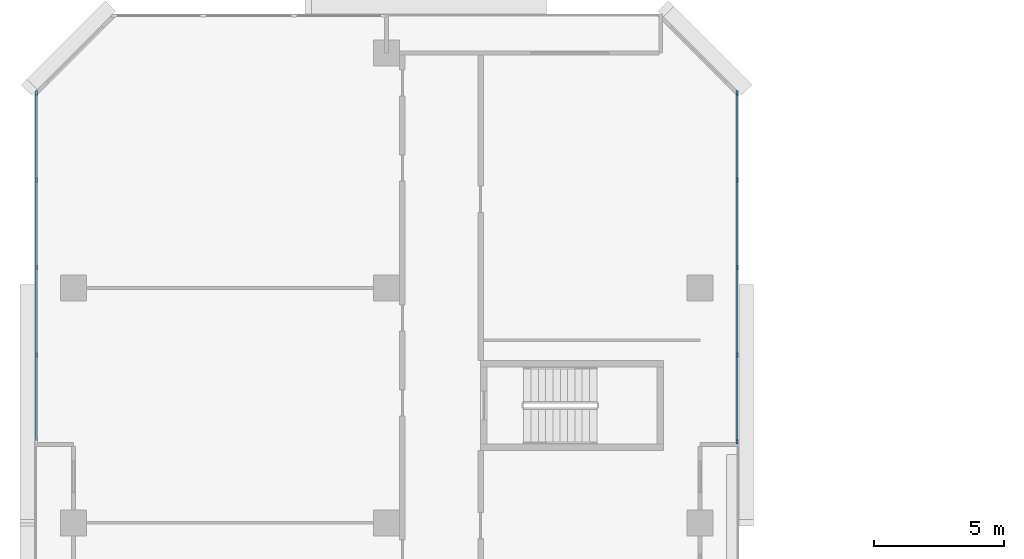
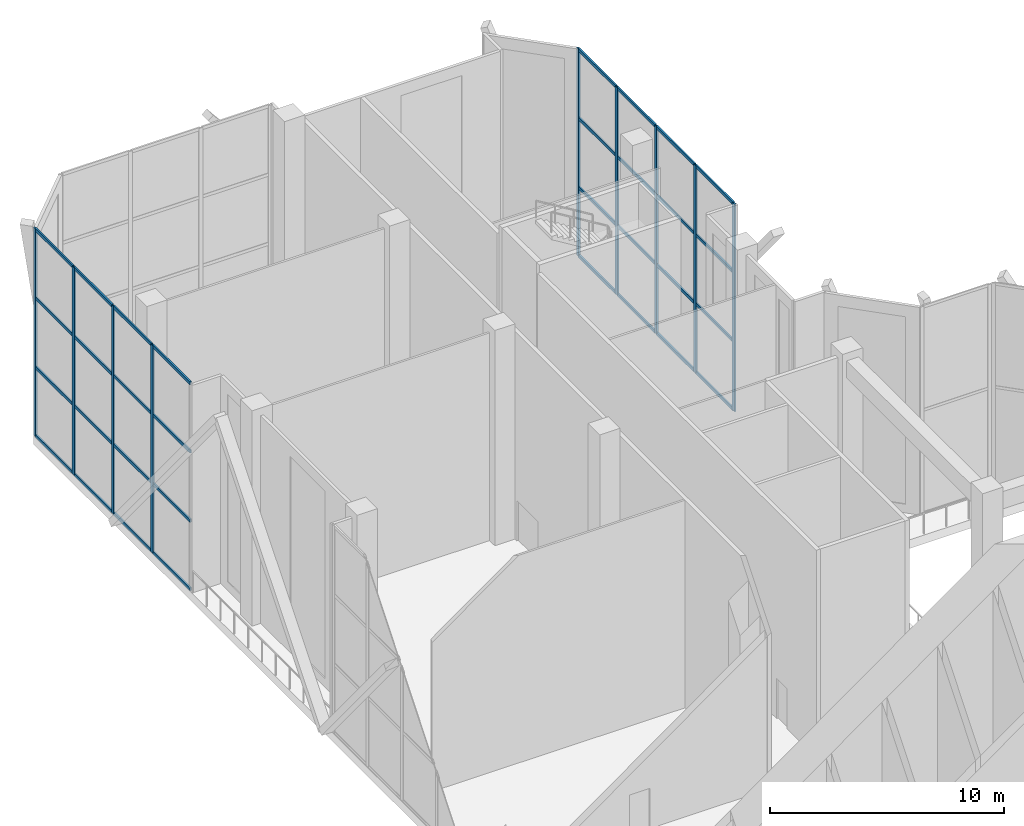
# One storey, part 6 of 21: 41 members, 2 elements without a shape of their own.
"""IFC4 building model written with IfcOpenShell, lengths in metres."""

from ifc_helpers import new_model, si_unit, direction, frame, origin, origin_2d, place, context, subcontext, project, spatial, rectangle, extrude, material, layer, layer_set, material_profile, profile_set, type_object, element, aggregate, save


model = new_model("IFC4")

# Units and contexts
model_context = context("Model", 3, precision=1e-05, world=origin(), true_north=direction((0.0, 1.0)))
body_context = subcontext(model_context, "Body", "Model", "MODEL_VIEW")
ifc_project = project(units=[si_unit("LENGTHUNIT", "METRE"), si_unit("AREAUNIT", "SQUARE_METRE"), si_unit("VOLUMEUNIT", "CUBIC_METRE"), si_unit("PLANEANGLEUNIT", "RADIAN"), si_unit("MASSUNIT", "GRAM", prefix="KILO")], contexts=[model_context])

# Site, building, storey
site_placement = place(None, origin())
site = spatial("IfcSite", under=ifc_project, at=site_placement, CompositionType="ELEMENT")
building_placement = place(site_placement, origin())
building = spatial("IfcBuilding", under=site, at=building_placement, Name="Chenar Terraces", CompositionType="ELEMENT")
storey_placement = place(building_placement, frame((0.0, 0.0, 146.14990234375)))
storey = spatial("IfcBuildingStorey", under=building, at=storey_placement, Name="L34", CompositionType="ELEMENT", Elevation=146.14990234375)

# Curtain wall, members
ifc_material_1 = material(Name="Aluminium framed glazing", Category="aluminium")
ifc_layer = layer(ifc_material_1, 0.14990234375)
ifc_layer_set = layer_set([ifc_layer], Name="Aluminium framed glazing")
curtain_wall_type = type_object("IfcCurtainWallType", Name="Sky garden curtain wall", PredefinedType="NOTDEFINED", material=ifc_layer_set)
placement = place(storey_placement, origin())
curtain_wall_1 = element("IfcCurtainWall", 1, at=placement, inside=storey, type_object=curtain_wall_type, Name="Sky garden curtain wall", PredefinedType="NOTDEFINED")
ifc_material_2 = material(Name="Aluminium", Category="aluminium")
ifc_material_profile_1 = material_profile(ifc_material_2, rectangle(XDim=0.080078125, YDim=0.199951171875, at=origin_2d()), Name="Sky garden mullion 80 x 200")
ifc_profile_set_1 = profile_set([ifc_material_profile_1], Name="Aluminium")
member_type_1 = type_object("IfcMemberType", Name="Sky garden mullion 80 x 200", PredefinedType="MULLION", material=ifc_profile_set_1)
member_1_placement = place(storey_placement, frame((25.425048828125, 48.114990234375, 0.0), z_axis=(0.0, 0.0, 1.0), x_axis=(-1.0, 0.0, 0.0)))
member_1 = element("IfcMember", 2, at=member_1_placement, type_object=member_type_1, Name="CW3-02 mullion 1", PredefinedType="MULLION", context=body_context, shape_type="SweptSolid", body=[
    extrude(rectangle(XDim=0.080078125, YDim=0.199951171875, at=origin_2d()), origin(), (0.0, 0.0, 1.0), 10.85009765625),
])
member_2_placement = place(storey_placement, frame((25.425048828125, 51.43115234375, 0.0), z_axis=(0.0, 0.0, 1.0), x_axis=(-1.0, 0.0, 0.0)))
member_2 = element("IfcMember", 3, at=member_2_placement, type_object=member_type_1, Name="CW3-02 mullion 2", PredefinedType="MULLION", context=body_context, shape_type="SweptSolid", body=[
    extrude(rectangle(XDim=0.080078125, YDim=0.199951171875, at=origin_2d()), origin(), (0.0, 0.0, 1.0), 10.85009765625),
])
member_3_placement = place(storey_placement, frame((25.425048828125, 54.78759765625, 0.0), z_axis=(0.0, 0.0, 1.0), x_axis=(-1.0, 0.0, 0.0)))
member_3 = element("IfcMember", 4, at=member_3_placement, type_object=member_type_1, Name="CW3-02 mullion 3", PredefinedType="MULLION", context=body_context, shape_type="SweptSolid", body=[
    extrude(rectangle(XDim=0.080078125, YDim=0.199951171875, at=origin_2d()), origin(), (0.0, 0.0, 1.0), 10.85009765625),
])
member_4_placement = place(storey_placement, frame((25.425048828125, 58.143798828125, 0.0), z_axis=(0.0, 0.0, 1.0), x_axis=(-1.0, 0.0, 0.0)))
member_4 = element("IfcMember", 5, at=member_4_placement, type_object=member_type_1, Name="CW3-02 mullion 4", PredefinedType="MULLION", context=body_context, shape_type="SweptSolid", body=[
    extrude(rectangle(XDim=0.080078125, YDim=0.199951171875, at=origin_2d()), origin(), (0.0, 0.0, 1.0), 10.85009765625),
])
member_5_placement = place(storey_placement, frame((25.425048828125, 61.4599609375, 0.0), z_axis=(0.0, 0.0, 1.0), x_axis=(-1.0, 0.0, 0.0)))
member_5 = element("IfcMember", 6, at=member_5_placement, type_object=member_type_1, Name="CW3-02 mullion 5", PredefinedType="MULLION", context=body_context, shape_type="SweptSolid", body=[
    extrude(rectangle(XDim=0.080078125, YDim=0.199951171875, at=origin_2d()), origin(), (0.0, 0.0, 1.0), 10.85009765625),
])

curtain_wall_2 = element("IfcCurtainWall", 7, at=placement, inside=storey, type_object=curtain_wall_type, Name="Sky garden curtain wall", PredefinedType="NOTDEFINED")
member_6_placement = place(storey_placement, frame((-1.425048828125, 61.4599609375, 0.0), z_axis=(0.0, 0.0, 1.0), x_axis=(1.0, 0.0, 0.0)))
member_6 = element("IfcMember", 8, at=member_6_placement, type_object=member_type_1, Name="CW3-04 mullion 1", PredefinedType="MULLION", context=body_context, shape_type="SweptSolid", body=[
    extrude(rectangle(XDim=0.080078125, YDim=0.199951171875, at=origin_2d()), origin(), (0.0, 0.0, 1.0), 10.85009765625),
])
member_7_placement = place(storey_placement, frame((-1.425048828125, 58.143798828125, 0.0), z_axis=(0.0, 0.0, 1.0), x_axis=(1.0, 0.0, 0.0)))
member_7 = element("IfcMember", 9, at=member_7_placement, type_object=member_type_1, Name="CW3-04 mullion 2", PredefinedType="MULLION", context=body_context, shape_type="SweptSolid", body=[
    extrude(rectangle(XDim=0.080078125, YDim=0.199951171875, at=origin_2d()), origin(), (0.0, 0.0, 1.0), 10.85009765625),
])
member_8_placement = place(storey_placement, frame((-1.425048828125, 54.78759765625, 0.0), z_axis=(0.0, 0.0, 1.0), x_axis=(1.0, 0.0, 0.0)))
member_8 = element("IfcMember", 10, at=member_8_placement, type_object=member_type_1, Name="CW3-04 mullion 3", PredefinedType="MULLION", context=body_context, shape_type="SweptSolid", body=[
    extrude(rectangle(XDim=0.080078125, YDim=0.199951171875, at=origin_2d()), origin(), (0.0, 0.0, 1.0), 10.85009765625),
])
member_9_placement = place(storey_placement, frame((-1.425048828125, 51.43115234375, 0.0), z_axis=(0.0, 0.0, 1.0), x_axis=(1.0, 0.0, 0.0)))
member_9 = element("IfcMember", 11, at=member_9_placement, type_object=member_type_1, Name="CW3-04 mullion 4", PredefinedType="MULLION", context=body_context, shape_type="SweptSolid", body=[
    extrude(rectangle(XDim=0.080078125, YDim=0.199951171875, at=origin_2d()), origin(), (0.0, 0.0, 1.0), 10.85009765625),
])

# Member
ifc_material_3 = material(Name="Aluminium", Category="aluminium")
ifc_material_profile_2 = material_profile(ifc_material_3, rectangle(XDim=0.080078125, YDim=0.159912109375, at=origin_2d()), Name="Sky garden transom 80 x 160")
ifc_profile_set_2 = profile_set([ifc_material_profile_2], Name="Aluminium")
member_type_2 = type_object("IfcMemberType", Name="Sky garden transom 80 x 160", PredefinedType="USERDEFINED", material=ifc_profile_set_2)
member_10_placement = place(storey_placement, frame((25.425048828125, 48.155029296875, 0.0400390625), z_axis=(0.0, 1.0, 0.0), x_axis=(-1.0, 0.0, 0.0)))
member_10 = element("IfcMember", 12, at=member_10_placement, type_object=member_type_2, Name="CW3-02 transom 1.1", ObjectType="TRANSOM", PredefinedType="USERDEFINED", context=body_context, shape_type="SweptSolid", body=[
    extrude(rectangle(XDim=0.080078125, YDim=0.159912109375, at=origin_2d()), origin(), (0.0, 0.0, 1.0), 3.236328125),
])

member_11_placement = place(storey_placement, frame((25.425048828125, 48.155029296875, 3.6171875), z_axis=(0.0, 1.0, 0.0), x_axis=(-1.0, 0.0, 0.0)))
member_11 = element("IfcMember", 13, at=member_11_placement, type_object=member_type_2, Name="CW3-02 transom 1.2", ObjectType="TRANSOM", PredefinedType="USERDEFINED", context=body_context, shape_type="SweptSolid", body=[
    extrude(rectangle(XDim=0.080078125, YDim=0.159912109375, at=origin_2d()), origin(), (0.0, 0.0, 1.0), 3.236328125),
])

member_12_placement = place(storey_placement, frame((25.425048828125, 48.155029296875, 7.233154296875), z_axis=(0.0, 1.0, 0.0), x_axis=(-1.0, 0.0, 0.0)))
member_12 = element("IfcMember", 14, at=member_12_placement, type_object=member_type_2, Name="CW3-02 transom 1.3", ObjectType="TRANSOM", PredefinedType="USERDEFINED", context=body_context, shape_type="SweptSolid", body=[
    extrude(rectangle(XDim=0.080078125, YDim=0.159912109375, at=origin_2d()), origin(), (0.0, 0.0, 1.0), 3.236328125),
])

member_13_placement = place(storey_placement, frame((25.425048828125, 48.155029296875, 10.81005859375), z_axis=(0.0, 1.0, 0.0), x_axis=(-1.0, 0.0, 0.0)))
member_13 = element("IfcMember", 15, at=member_13_placement, type_object=member_type_2, Name="CW3-02 transom 1.4", ObjectType="TRANSOM", PredefinedType="USERDEFINED", context=body_context, shape_type="SweptSolid", body=[
    extrude(rectangle(XDim=0.080078125, YDim=0.159912109375, at=origin_2d()), origin(), (0.0, 0.0, 1.0), 3.236328125),
])

member_14_placement = place(storey_placement, frame((25.425048828125, 51.47119140625, 0.0400390625), z_axis=(0.0, 1.0, 0.0), x_axis=(-1.0, 0.0, 0.0)))
member_14 = element("IfcMember", 16, at=member_14_placement, type_object=member_type_2, Name="CW3-02 transom 2.1", ObjectType="TRANSOM", PredefinedType="USERDEFINED", context=body_context, shape_type="SweptSolid", body=[
    extrude(rectangle(XDim=0.080078125, YDim=0.159912109375, at=origin_2d()), origin(), (0.0, 0.0, 1.0), 3.2763671875),
])

member_15_placement = place(storey_placement, frame((25.425048828125, 51.47119140625, 3.6171875), z_axis=(0.0, 1.0, 0.0), x_axis=(-1.0, 0.0, 0.0)))
member_15 = element("IfcMember", 17, at=member_15_placement, type_object=member_type_2, Name="CW3-02 transom 2.2", ObjectType="TRANSOM", PredefinedType="USERDEFINED", context=body_context, shape_type="SweptSolid", body=[
    extrude(rectangle(XDim=0.080078125, YDim=0.159912109375, at=origin_2d()), origin(), (0.0, 0.0, 1.0), 3.2763671875),
])

member_16_placement = place(storey_placement, frame((25.425048828125, 51.47119140625, 7.233154296875), z_axis=(0.0, 1.0, 0.0), x_axis=(-1.0, 0.0, 0.0)))
member_16 = element("IfcMember", 18, at=member_16_placement, type_object=member_type_2, Name="CW3-02 transom 2.3", ObjectType="TRANSOM", PredefinedType="USERDEFINED", context=body_context, shape_type="SweptSolid", body=[
    extrude(rectangle(XDim=0.080078125, YDim=0.159912109375, at=origin_2d()), origin(), (0.0, 0.0, 1.0), 3.2763671875),
])

member_17_placement = place(storey_placement, frame((25.425048828125, 51.47119140625, 10.81005859375), z_axis=(0.0, 1.0, 0.0), x_axis=(-1.0, 0.0, 0.0)))
member_17 = element("IfcMember", 19, at=member_17_placement, type_object=member_type_2, Name="CW3-02 transom 2.4", ObjectType="TRANSOM", PredefinedType="USERDEFINED", context=body_context, shape_type="SweptSolid", body=[
    extrude(rectangle(XDim=0.080078125, YDim=0.159912109375, at=origin_2d()), origin(), (0.0, 0.0, 1.0), 3.2763671875),
])

member_18_placement = place(storey_placement, frame((25.425048828125, 54.827392578125, 0.0400390625), z_axis=(0.0, 1.0, 0.0), x_axis=(-1.0, 0.0, 0.0)))
member_18 = element("IfcMember", 20, at=member_18_placement, type_object=member_type_2, Name="CW3-02 transom 3.1", ObjectType="TRANSOM", PredefinedType="USERDEFINED", context=body_context, shape_type="SweptSolid", body=[
    extrude(rectangle(XDim=0.080078125, YDim=0.159912109375, at=origin_2d()), origin(), (0.0, 0.0, 1.0), 3.2763671875),
])

member_19_placement = place(storey_placement, frame((25.425048828125, 54.827392578125, 3.6171875), z_axis=(0.0, 1.0, 0.0), x_axis=(-1.0, 0.0, 0.0)))
member_19 = element("IfcMember", 21, at=member_19_placement, type_object=member_type_2, Name="CW3-02 transom 3.2", ObjectType="TRANSOM", PredefinedType="USERDEFINED", context=body_context, shape_type="SweptSolid", body=[
    extrude(rectangle(XDim=0.080078125, YDim=0.159912109375, at=origin_2d()), origin(), (0.0, 0.0, 1.0), 3.2763671875),
])

member_20_placement = place(storey_placement, frame((25.425048828125, 54.827392578125, 7.233154296875), z_axis=(0.0, 1.0, 0.0), x_axis=(-1.0, 0.0, 0.0)))
member_20 = element("IfcMember", 22, at=member_20_placement, type_object=member_type_2, Name="CW3-02 transom 3.3", ObjectType="TRANSOM", PredefinedType="USERDEFINED", context=body_context, shape_type="SweptSolid", body=[
    extrude(rectangle(XDim=0.080078125, YDim=0.159912109375, at=origin_2d()), origin(), (0.0, 0.0, 1.0), 3.2763671875),
])

member_21_placement = place(storey_placement, frame((25.425048828125, 54.827392578125, 10.81005859375), z_axis=(0.0, 1.0, 0.0), x_axis=(-1.0, 0.0, 0.0)))
member_21 = element("IfcMember", 23, at=member_21_placement, type_object=member_type_2, Name="CW3-02 transom 3.4", ObjectType="TRANSOM", PredefinedType="USERDEFINED", context=body_context, shape_type="SweptSolid", body=[
    extrude(rectangle(XDim=0.080078125, YDim=0.159912109375, at=origin_2d()), origin(), (0.0, 0.0, 1.0), 3.2763671875),
])

member_22_placement = place(storey_placement, frame((25.425048828125, 58.183837890625, 0.0400390625), z_axis=(0.0, 1.0, 0.0), x_axis=(-1.0, 0.0, 0.0)))
member_22 = element("IfcMember", 24, at=member_22_placement, type_object=member_type_2, Name="CW3-02 transom 4.1", ObjectType="TRANSOM", PredefinedType="USERDEFINED", context=body_context, shape_type="SweptSolid", body=[
    extrude(rectangle(XDim=0.080078125, YDim=0.159912109375, at=origin_2d()), origin(), (0.0, 0.0, 1.0), 3.236083984375),
])

member_23_placement = place(storey_placement, frame((25.425048828125, 58.183837890625, 3.6171875), z_axis=(0.0, 1.0, 0.0), x_axis=(-1.0, 0.0, 0.0)))
member_23 = element("IfcMember", 25, at=member_23_placement, type_object=member_type_2, Name="CW3-02 transom 4.2", ObjectType="TRANSOM", PredefinedType="USERDEFINED", context=body_context, shape_type="SweptSolid", body=[
    extrude(rectangle(XDim=0.080078125, YDim=0.159912109375, at=origin_2d()), origin(), (0.0, 0.0, 1.0), 3.236083984375),
])

member_24_placement = place(storey_placement, frame((25.425048828125, 58.183837890625, 7.233154296875), z_axis=(0.0, 1.0, 0.0), x_axis=(-1.0, 0.0, 0.0)))
member_24 = element("IfcMember", 26, at=member_24_placement, type_object=member_type_2, Name="CW3-02 transom 4.3", ObjectType="TRANSOM", PredefinedType="USERDEFINED", context=body_context, shape_type="SweptSolid", body=[
    extrude(rectangle(XDim=0.080078125, YDim=0.159912109375, at=origin_2d()), origin(), (0.0, 0.0, 1.0), 3.236083984375),
])

member_25_placement = place(storey_placement, frame((25.425048828125, 58.183837890625, 10.81005859375), z_axis=(0.0, 1.0, 0.0), x_axis=(-1.0, 0.0, 0.0)))
member_25 = element("IfcMember", 27, at=member_25_placement, type_object=member_type_2, Name="CW3-02 transom 4.4", ObjectType="TRANSOM", PredefinedType="USERDEFINED", context=body_context, shape_type="SweptSolid", body=[
    extrude(rectangle(XDim=0.080078125, YDim=0.159912109375, at=origin_2d()), origin(), (0.0, 0.0, 1.0), 3.236083984375),
])

aggregate(curtain_wall_1, [member_1, member_2, member_3, member_4, member_5, member_10, member_11, member_12, member_13, member_14, member_15, member_16, member_17, member_18, member_19, member_20, member_21, member_22, member_23, member_24, member_25])

member_26_placement = place(storey_placement, frame((-1.425048828125, 61.419921875, 0.0400390625), z_axis=(0.0, -1.0, 0.0), x_axis=(1.0, 0.0, 0.0)))
member_26 = element("IfcMember", 28, at=member_26_placement, type_object=member_type_2, Name="CW3-04 transom 1.1", ObjectType="TRANSOM", PredefinedType="USERDEFINED", context=body_context, shape_type="SweptSolid", body=[
    extrude(rectangle(XDim=0.080078125, YDim=0.159912109375, at=origin_2d()), origin(), (0.0, 0.0, 1.0), 3.236083984375),
])

member_27_placement = place(storey_placement, frame((-1.425048828125, 61.419921875, 3.6171875), z_axis=(0.0, -1.0, 0.0), x_axis=(1.0, 0.0, 0.0)))
member_27 = element("IfcMember", 29, at=member_27_placement, type_object=member_type_2, Name="CW3-04 transom 1.2", ObjectType="TRANSOM", PredefinedType="USERDEFINED", context=body_context, shape_type="SweptSolid", body=[
    extrude(rectangle(XDim=0.080078125, YDim=0.159912109375, at=origin_2d()), origin(), (0.0, 0.0, 1.0), 3.236083984375),
])

member_28_placement = place(storey_placement, frame((-1.425048828125, 61.419921875, 7.233154296875), z_axis=(0.0, -1.0, 0.0), x_axis=(1.0, 0.0, 0.0)))
member_28 = element("IfcMember", 30, at=member_28_placement, type_object=member_type_2, Name="CW3-04 transom 1.3", ObjectType="TRANSOM", PredefinedType="USERDEFINED", context=body_context, shape_type="SweptSolid", body=[
    extrude(rectangle(XDim=0.080078125, YDim=0.159912109375, at=origin_2d()), origin(), (0.0, 0.0, 1.0), 3.236083984375),
])

member_29_placement = place(storey_placement, frame((-1.425048828125, 61.419921875, 10.81005859375), z_axis=(0.0, -1.0, 0.0), x_axis=(1.0, 0.0, 0.0)))
member_29 = element("IfcMember", 31, at=member_29_placement, type_object=member_type_2, Name="CW3-04 transom 1.4", ObjectType="TRANSOM", PredefinedType="USERDEFINED", context=body_context, shape_type="SweptSolid", body=[
    extrude(rectangle(XDim=0.080078125, YDim=0.159912109375, at=origin_2d()), origin(), (0.0, 0.0, 1.0), 3.236083984375),
])

member_30_placement = place(storey_placement, frame((-1.425048828125, 58.103759765625, 0.0400390625), z_axis=(0.0, -1.0, 0.0), x_axis=(1.0, 0.0, 0.0)))
member_30 = element("IfcMember", 32, at=member_30_placement, type_object=member_type_2, Name="CW3-04 transom 2.1", ObjectType="TRANSOM", PredefinedType="USERDEFINED", context=body_context, shape_type="SweptSolid", body=[
    extrude(rectangle(XDim=0.080078125, YDim=0.159912109375, at=origin_2d()), origin(), (0.0, 0.0, 1.0), 3.2763671875),
])

member_31_placement = place(storey_placement, frame((-1.425048828125, 58.103759765625, 3.6171875), z_axis=(0.0, -1.0, 0.0), x_axis=(1.0, 0.0, 0.0)))
member_31 = element("IfcMember", 33, at=member_31_placement, type_object=member_type_2, Name="CW3-04 transom 2.2", ObjectType="TRANSOM", PredefinedType="USERDEFINED", context=body_context, shape_type="SweptSolid", body=[
    extrude(rectangle(XDim=0.080078125, YDim=0.159912109375, at=origin_2d()), origin(), (0.0, 0.0, 1.0), 3.2763671875),
])

member_32_placement = place(storey_placement, frame((-1.425048828125, 58.103759765625, 7.233154296875), z_axis=(0.0, -1.0, 0.0), x_axis=(1.0, 0.0, 0.0)))
member_32 = element("IfcMember", 34, at=member_32_placement, type_object=member_type_2, Name="CW3-04 transom 2.3", ObjectType="TRANSOM", PredefinedType="USERDEFINED", context=body_context, shape_type="SweptSolid", body=[
    extrude(rectangle(XDim=0.080078125, YDim=0.159912109375, at=origin_2d()), origin(), (0.0, 0.0, 1.0), 3.2763671875),
])

member_33_placement = place(storey_placement, frame((-1.425048828125, 58.103759765625, 10.81005859375), z_axis=(0.0, -1.0, 0.0), x_axis=(1.0, 0.0, 0.0)))
member_33 = element("IfcMember", 35, at=member_33_placement, type_object=member_type_2, Name="CW3-04 transom 2.4", ObjectType="TRANSOM", PredefinedType="USERDEFINED", context=body_context, shape_type="SweptSolid", body=[
    extrude(rectangle(XDim=0.080078125, YDim=0.159912109375, at=origin_2d()), origin(), (0.0, 0.0, 1.0), 3.2763671875),
])

member_34_placement = place(storey_placement, frame((-1.425048828125, 54.74755859375, 0.0400390625), z_axis=(0.0, -1.0, 0.0), x_axis=(1.0, 0.0, 0.0)))
member_34 = element("IfcMember", 36, at=member_34_placement, type_object=member_type_2, Name="CW3-04 transom 3.1", ObjectType="TRANSOM", PredefinedType="USERDEFINED", context=body_context, shape_type="SweptSolid", body=[
    extrude(rectangle(XDim=0.080078125, YDim=0.159912109375, at=origin_2d()), origin(), (0.0, 0.0, 1.0), 3.2763671875),
])

member_35_placement = place(storey_placement, frame((-1.425048828125, 54.74755859375, 3.6171875), z_axis=(0.0, -1.0, 0.0), x_axis=(1.0, 0.0, 0.0)))
member_35 = element("IfcMember", 37, at=member_35_placement, type_object=member_type_2, Name="CW3-04 transom 3.2", ObjectType="TRANSOM", PredefinedType="USERDEFINED", context=body_context, shape_type="SweptSolid", body=[
    extrude(rectangle(XDim=0.080078125, YDim=0.159912109375, at=origin_2d()), origin(), (0.0, 0.0, 1.0), 3.2763671875),
])

member_36_placement = place(storey_placement, frame((-1.425048828125, 54.74755859375, 7.233154296875), z_axis=(0.0, -1.0, 0.0), x_axis=(1.0, 0.0, 0.0)))
member_36 = element("IfcMember", 38, at=member_36_placement, type_object=member_type_2, Name="CW3-04 transom 3.3", ObjectType="TRANSOM", PredefinedType="USERDEFINED", context=body_context, shape_type="SweptSolid", body=[
    extrude(rectangle(XDim=0.080078125, YDim=0.159912109375, at=origin_2d()), origin(), (0.0, 0.0, 1.0), 3.2763671875),
])

member_37_placement = place(storey_placement, frame((-1.425048828125, 54.74755859375, 10.81005859375), z_axis=(0.0, -1.0, 0.0), x_axis=(1.0, 0.0, 0.0)))
member_37 = element("IfcMember", 39, at=member_37_placement, type_object=member_type_2, Name="CW3-04 transom 3.4", ObjectType="TRANSOM", PredefinedType="USERDEFINED", context=body_context, shape_type="SweptSolid", body=[
    extrude(rectangle(XDim=0.080078125, YDim=0.159912109375, at=origin_2d()), origin(), (0.0, 0.0, 1.0), 3.2763671875),
])

member_38_placement = place(storey_placement, frame((-1.425048828125, 51.391357421875, 0.0400390625), z_axis=(0.0, -1.0, 0.0), x_axis=(1.0, 0.0, 0.0)))
member_38 = element("IfcMember", 40, at=member_38_placement, type_object=member_type_2, Name="CW3-04 transom 4.1", ObjectType="TRANSOM", PredefinedType="USERDEFINED", context=body_context, shape_type="SweptSolid", body=[
    extrude(rectangle(XDim=0.080078125, YDim=0.159912109375, at=origin_2d()), origin(), (0.0, 0.0, 1.0), 3.236328125),
])

member_39_placement = place(storey_placement, frame((-1.425048828125, 51.391357421875, 3.6171875), z_axis=(0.0, -1.0, 0.0), x_axis=(1.0, 0.0, 0.0)))
member_39 = element("IfcMember", 41, at=member_39_placement, type_object=member_type_2, Name="CW3-04 transom 4.2", ObjectType="TRANSOM", PredefinedType="USERDEFINED", context=body_context, shape_type="SweptSolid", body=[
    extrude(rectangle(XDim=0.080078125, YDim=0.159912109375, at=origin_2d()), origin(), (0.0, 0.0, 1.0), 3.236328125),
])

member_40_placement = place(storey_placement, frame((-1.425048828125, 51.391357421875, 7.233154296875), z_axis=(0.0, -1.0, 0.0), x_axis=(1.0, 0.0, 0.0)))
member_40 = element("IfcMember", 42, at=member_40_placement, type_object=member_type_2, Name="CW3-04 transom 4.3", ObjectType="TRANSOM", PredefinedType="USERDEFINED", context=body_context, shape_type="SweptSolid", body=[
    extrude(rectangle(XDim=0.080078125, YDim=0.159912109375, at=origin_2d()), origin(), (0.0, 0.0, 1.0), 3.236328125),
])

member_41_placement = place(storey_placement, frame((-1.425048828125, 51.391357421875, 10.81005859375), z_axis=(0.0, -1.0, 0.0), x_axis=(1.0, 0.0, 0.0)))
member_41 = element("IfcMember", 43, at=member_41_placement, type_object=member_type_2, Name="CW3-04 transom 4.4", ObjectType="TRANSOM", PredefinedType="USERDEFINED", context=body_context, shape_type="SweptSolid", body=[
    extrude(rectangle(XDim=0.080078125, YDim=0.159912109375, at=origin_2d()), origin(), (0.0, 0.0, 1.0), 3.236328125),
])

aggregate(curtain_wall_2, [member_6, member_7, member_8, member_9, member_26, member_27, member_28, member_29, member_30, member_31, member_32, member_33, member_34, member_35, member_36, member_37, member_38, member_39, member_40, member_41])

save(model, "model.ifc")
